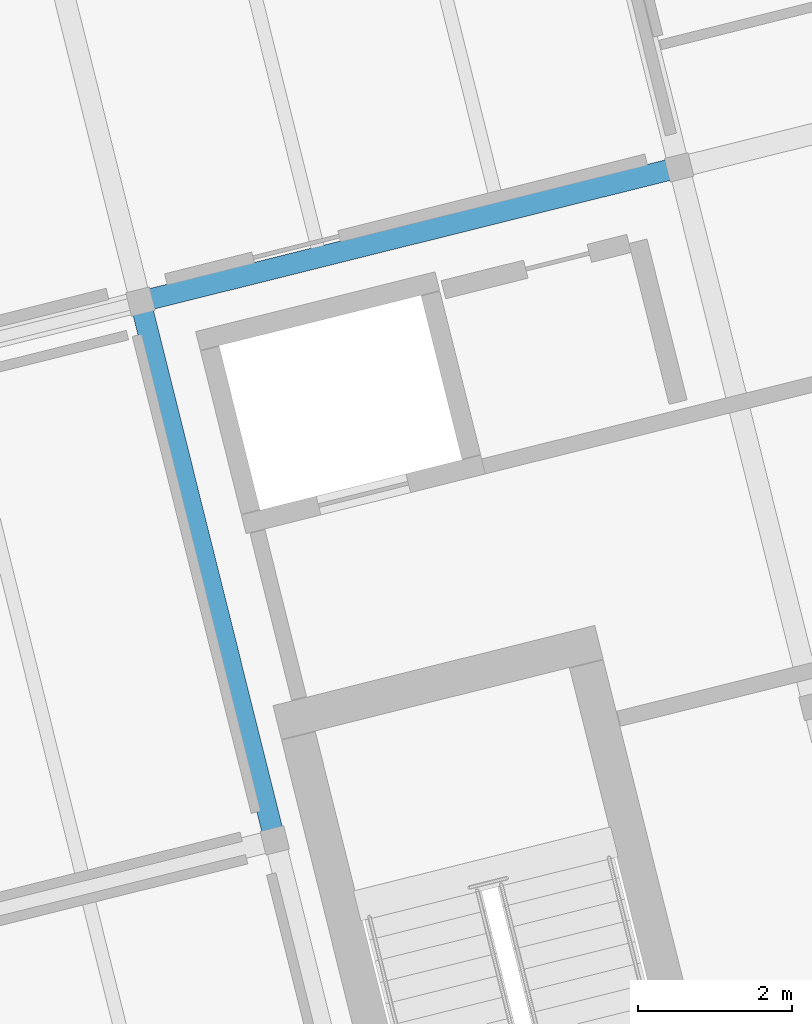
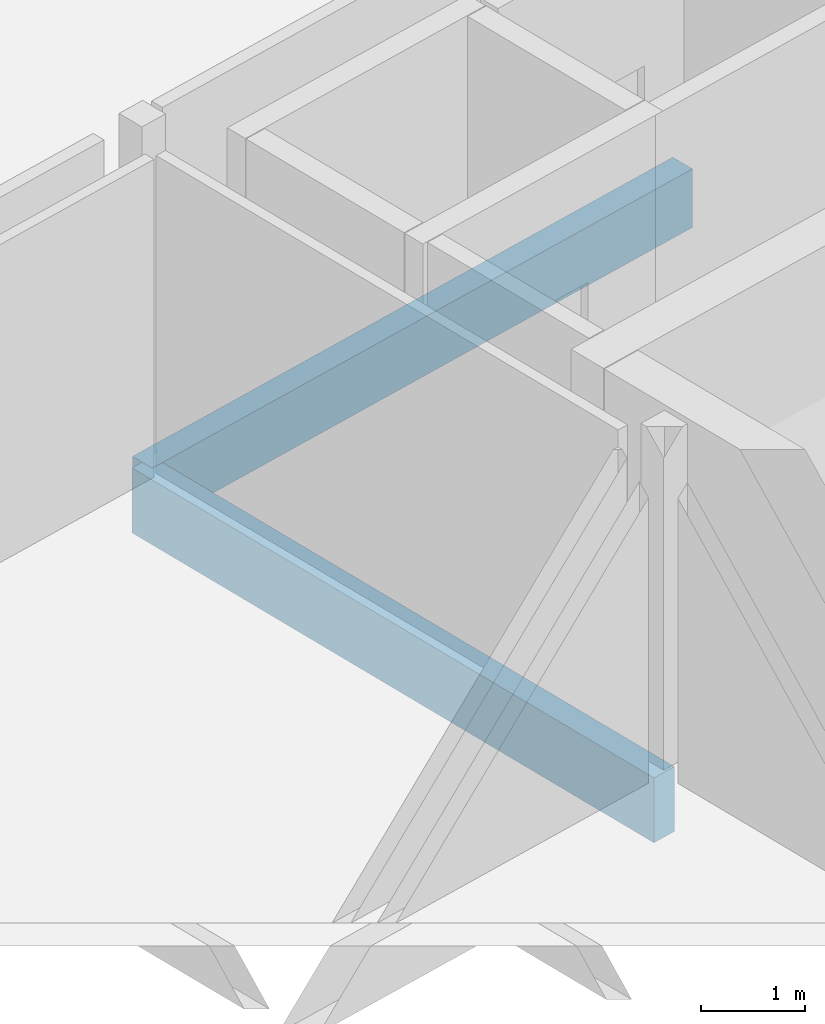
# One storey, part 10 of 25: 2 beams.
"""IFC4 building model written with IfcOpenShell, lengths in metres."""

from ifc_helpers import new_model, si_unit, direction, frame, origin, origin_2d, place, context, subcontext, project, spatial, rectangle, extrude, material, material_profile, profile_set, type_object, element, save


model = new_model("IFC4")

# Units and contexts
model_context = context("Model", 3, precision=1e-05, world=origin(), true_north=direction((0.0, 1.0)))
body_context = subcontext(model_context, "Body", "Model", "MODEL_VIEW")
ifc_project = project(units=[si_unit("LENGTHUNIT", "METRE"), si_unit("AREAUNIT", "SQUARE_METRE"), si_unit("VOLUMEUNIT", "CUBIC_METRE"), si_unit("PLANEANGLEUNIT", "RADIAN"), si_unit("MASSUNIT", "GRAM", prefix="KILO")], contexts=[model_context])

# Site, building, storey
site_placement = place(None, origin())
site = spatial("IfcSite", under=ifc_project, at=site_placement, CompositionType="ELEMENT")
building_placement = place(site_placement, origin())
building = spatial("IfcBuilding", under=site, at=building_placement, Name="Meriwether Solvik Hall", CompositionType="ELEMENT")
storey_placement = place(building_placement, frame((0.0, 0.0, 49.5)))
storey = spatial("IfcBuildingStorey", under=building, at=storey_placement, Name="L12", CompositionType="ELEMENT", Elevation=49.5)

# Beams
ifc_material_1 = material(Name="Glulam Douglas-Fir 24F-V8 GL28h", Category="wood")
ifc_material_profile_1 = material_profile(ifc_material_1, rectangle(XDim=0.27294921875, YDim=0.68505859375, at=origin_2d()), Name="GLB-273X685")
ifc_profile_set_1 = profile_set([ifc_material_profile_1], Name="Glulam Douglas-Fir 24F-V8 GL28h")
beam_type_1 = type_object("IfcBeamType", Name="BM-GL-273X685", PredefinedType="BEAM", material=ifc_profile_set_1)
beam_1_placement = place(storey_placement, frame((70.893798828125, 63.414794921875, -0.5224609375), z_axis=(0.970293896644, 0.241929233735, 0.0), x_axis=(-0.241929233735, 0.970293896644, 0.0)))
element("IfcBeam", 1, at=beam_1_placement, inside=storey, type_object=beam_type_1, Name="Tower Girder TD:T2-T3 (L12)", PredefinedType="BEAM", context=body_context, shape_type="SweptSolid", body=[
    extrude(rectangle(XDim=0.27294921875, YDim=0.68505859375, at=origin_2d()), origin(), (0.0, 0.0, 1.0), 7.2001953125),
])
ifc_material_2 = material(Name="Glulam Douglas-Fir 24F-V8 GL28h", Category="wood")
ifc_material_profile_2 = material_profile(ifc_material_2, rectangle(XDim=0.27294921875, YDim=0.760009765625, at=origin_2d()), Name="GLB-273X760")
ifc_profile_set_2 = profile_set([ifc_material_profile_2], Name="Glulam Douglas-Fir 24F-V8 GL28h")
beam_type_2 = type_object("IfcBeamType", Name="BM-GL-273X760", PredefinedType="BEAM", material=ifc_profile_set_2)
beam_2_placement = place(storey_placement, frame((72.6357421875, 56.4287109375, -0.56005859375), z_axis=(-0.241937193493, 0.970291911955, 0.0), x_axis=(-0.970291911955, -0.241937193493, 0.0)))
element("IfcBeam", 2, at=beam_2_placement, inside=storey, type_object=beam_type_2, Name="Tower Girder T2:TC-TD (L12)", PredefinedType="BEAM", context=body_context, shape_type="SweptSolid", body=[
    extrude(rectangle(XDim=0.27294921875, YDim=0.760009765625, at=origin_2d()), origin(), (0.0, 0.0, 1.0), 7.199951171875),
])

save(model, "model.ifc")
